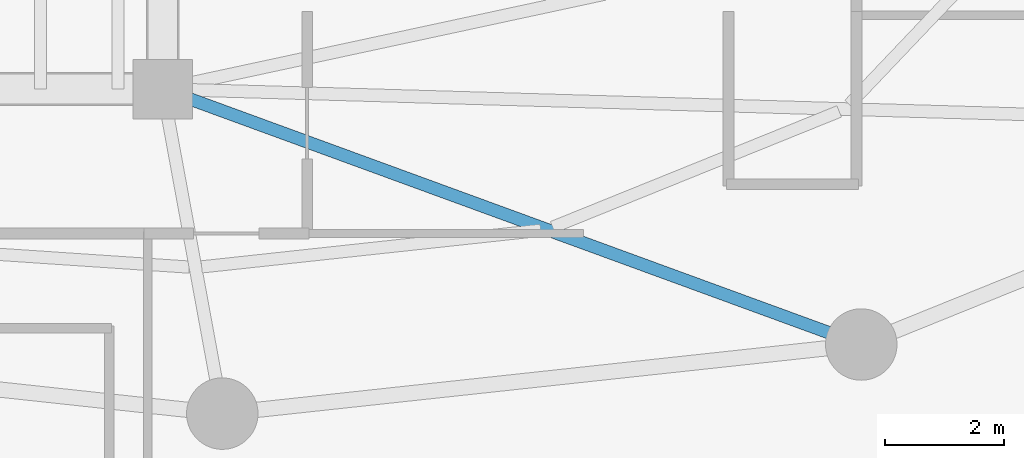
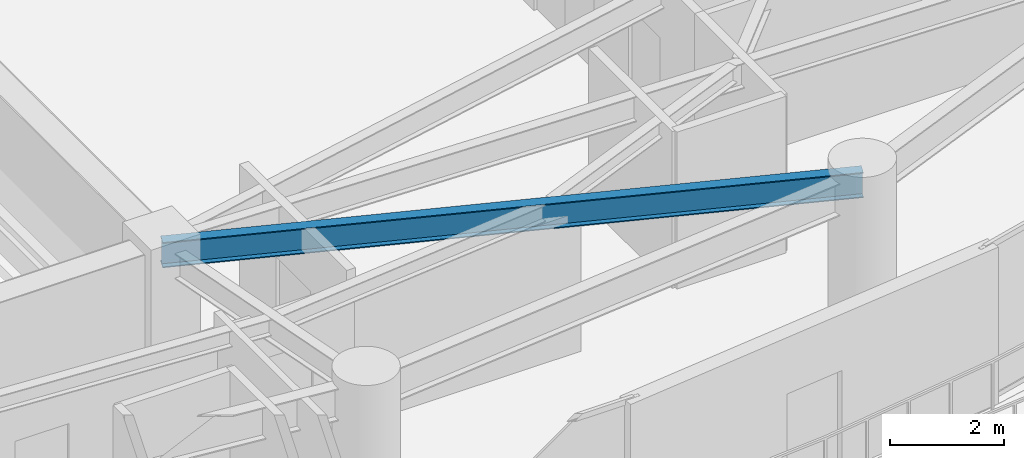
# One storey, part 11 of 34: 1 beam.
"""IFC4 building model written with IfcOpenShell, lengths in metres."""

from ifc_helpers import new_model, si_unit, direction, frame, origin, origin_2d, place, context, subcontext, project, spatial, i_section, extrude, material, material_profile, profile_set, type_object, element, save


model = new_model("IFC4")

# Units and contexts
model_context = context("Model", 3, precision=1e-05, world=origin(), true_north=direction((0.0, 1.0)))
body_context = subcontext(model_context, "Body", "Model", "MODEL_VIEW")
ifc_project = project(units=[si_unit("LENGTHUNIT", "METRE"), si_unit("AREAUNIT", "SQUARE_METRE"), si_unit("VOLUMEUNIT", "CUBIC_METRE"), si_unit("PLANEANGLEUNIT", "RADIAN"), si_unit("MASSUNIT", "GRAM", prefix="KILO")], contexts=[model_context])

# Site, building, storey
site_placement = place(None, origin())
site = spatial("IfcSite", under=ifc_project, at=site_placement, CompositionType="ELEMENT")
building_placement = place(site_placement, origin())
building = spatial("IfcBuilding", under=site, at=building_placement, Name="Kazevale Care Tower and Concert Hall", CompositionType="ELEMENT")
storey_placement = place(building_placement, frame((0.0, 0.0, 174.60009765625)))
storey = spatial("IfcBuildingStorey", under=building, at=storey_placement, Name="L46", CompositionType="ELEMENT", Elevation=174.60009765625)

# Beam
ifc_material = material(Name="Steel ASTM A572 Gr 50", Category="steel")
ifc_material_profile = material_profile(ifc_material, i_section(OverallWidth=0.2119140625, OverallDepth=0.5439453125, WebThickness=0.01318359375, FlangeThickness=0.021240234375, at=origin_2d()), Name="W530x123")
ifc_profile_set = profile_set([ifc_material_profile], Name="Steel ASTM A572 Gr 50")
beam_type = type_object("IfcBeamType", Name="Radial Floor Girder W530x123", PredefinedType="BEAM", material=ifc_profile_set)
beam_placement = place(storey_placement, frame((44.0, 23.60009765625, 3.087890625), z_axis=(0.939159459123, -0.343481455599, 0.0), x_axis=(0.343481455599, 0.939159459123, 0.0)))
element("IfcBeam", 1, at=beam_placement, inside=storey, type_object=beam_type, Name="beam:L46:rad:14", PredefinedType="BEAM", context=body_context, shape_type="SweptSolid", body=[
    extrude(i_section(OverallWidth=0.2119140625, OverallDepth=0.5439453125, WebThickness=0.01318359375, FlangeThickness=0.021240234375, at=origin_2d()), origin(), (0.0, 0.0, 1.0), 12.489990234375),
])

save(model, "model.ifc")
